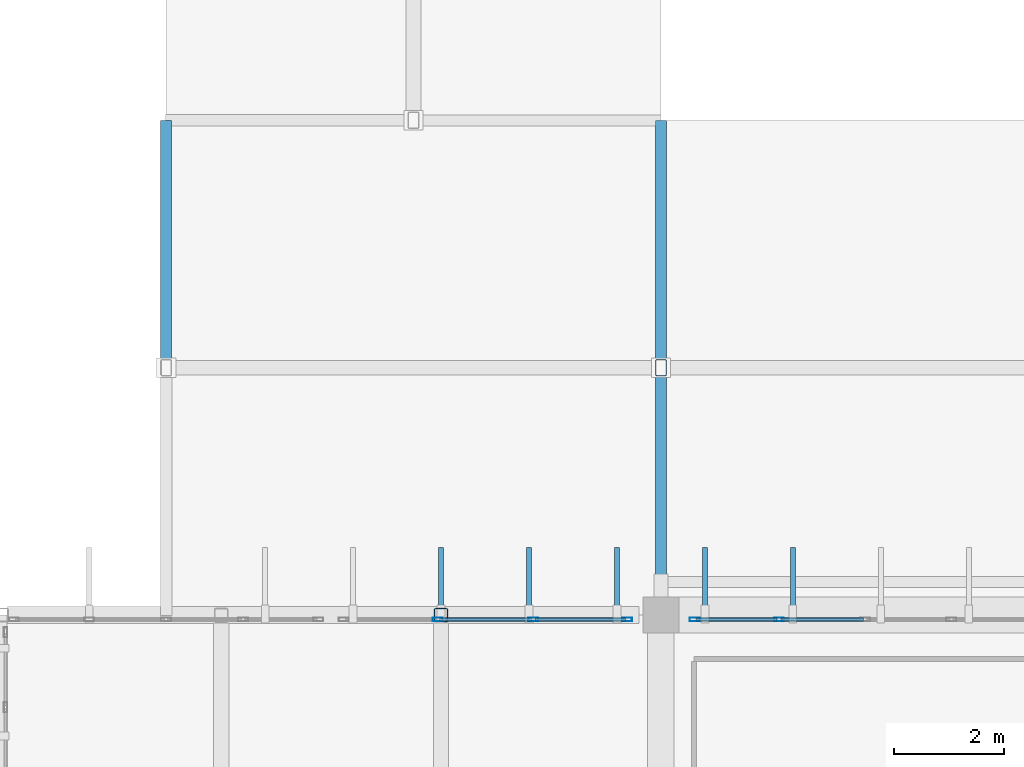
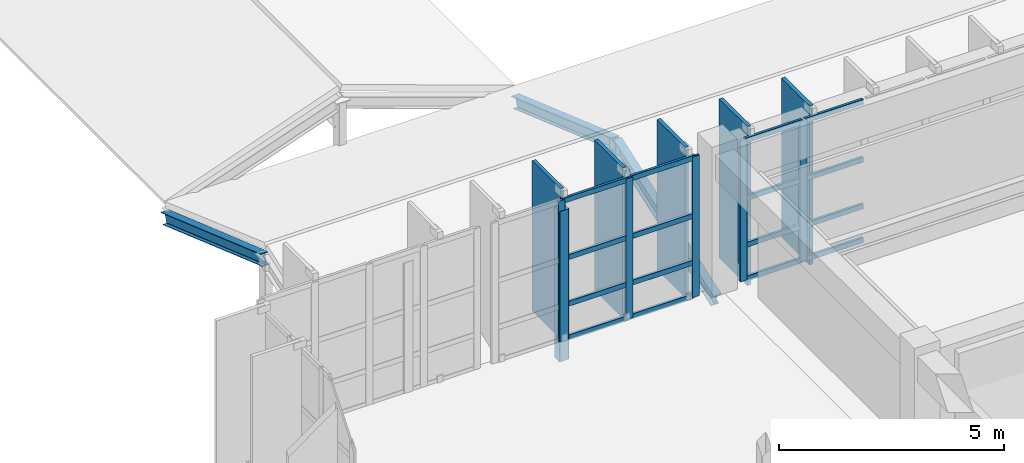
# One storey, part 36 of 80: 31 members, 2 elements without a shape of their own.
"""IFC4 building model written with IfcOpenShell, lengths in metres."""

from ifc_helpers import new_model, si_unit, direction, frame, origin, origin_2d, place, context, subcontext, project, spatial, rectangle, hollow_rectangle, i_section, extrude, material, material_profile, profile_set, type_object, element, aggregate, save


model = new_model("IFC4")

# Units and contexts
model_context = context("Model", 3, precision=1e-05, world=origin(), true_north=direction((0.0, 1.0)))
body_context = subcontext(model_context, "Body", "Model", "MODEL_VIEW")
ifc_project = project(units=[si_unit("LENGTHUNIT", "METRE"), si_unit("AREAUNIT", "SQUARE_METRE"), si_unit("VOLUMEUNIT", "CUBIC_METRE"), si_unit("PLANEANGLEUNIT", "RADIAN"), si_unit("MASSUNIT", "GRAM", prefix="KILO")], contexts=[model_context])

# Site, building, storey
site_placement = place(None, origin())
site = spatial("IfcSite", under=ifc_project, at=site_placement, CompositionType="ELEMENT")
building_placement = place(site_placement, origin())
building = spatial("IfcBuilding", under=site, at=building_placement, Name="Miravela Opera House", CompositionType="ELEMENT")
storey_placement = place(building_placement, frame((0.0, 0.0, 17.679931640625)))
storey = spatial("IfcBuildingStorey", under=building, at=storey_placement, Name="L04", CompositionType="ELEMENT", Elevation=17.679931640625)

# Curtain wall, members
ifc_material_1 = material(Name="Anodised architectural bronze aluminium 6063-T6", Category="aluminium")
curtain_wall_type = type_object("IfcCurtainWallType", Name="ARC-CW-02", PredefinedType="NOTDEFINED", material=ifc_material_1)
curtain_wall_1_placement = place(storey_placement, origin())
curtain_wall_1 = element("IfcCurtainWall", 1, at=curtain_wall_1_placement, inside=storey, type_object=curtain_wall_type, Name="Auditorium North Wrapper Glazing CW-L04-037", PredefinedType="NOTDEFINED")
ifc_material_profile_1 = material_profile(ifc_material_1, hollow_rectangle(XDim=0.06494140625, YDim=0.179931640625, WallThickness=0.00390625, InnerFilletRadius=0.001953125, OuterFilletRadius=0.00390625, at=origin_2d()), Name="CWM-65X180")
ifc_profile_set_1 = profile_set([ifc_material_profile_1])
member_type_1 = type_object("IfcMemberType", Name="ARC-CWM-180", PredefinedType="MULLION", material=ifc_profile_set_1)
member_1_placement = place(storey_placement, frame((22.93994140625, 74.919921875, 0.0), z_axis=(0.0, 0.0, 1.0), x_axis=(0.0, 1.0, 0.0)))
member_1 = element("IfcMember", 2, at=member_1_placement, type_object=member_type_1, Name="CW-02 mullion 2", PredefinedType="MULLION", context=body_context, shape_type="SweptSolid", body=[
    extrude(hollow_rectangle(XDim=0.06494140625, YDim=0.179931640625, WallThickness=0.00390625, InnerFilletRadius=0.001953125, OuterFilletRadius=0.00390625, at=origin_2d()), origin(), (0.0, 0.0, 1.0), 3.820068359375),
])
member_2_placement = place(storey_placement, frame((24.679931640625, 74.919921875, 0.0), z_axis=(0.0, 0.0, 1.0), x_axis=(0.0, 1.0, 0.0)))
member_2 = element("IfcMember", 3, at=member_2_placement, type_object=member_type_1, Name="CW-02 mullion 3", PredefinedType="MULLION", context=body_context, shape_type="SweptSolid", body=[
    extrude(hollow_rectangle(XDim=0.06494140625, YDim=0.179931640625, WallThickness=0.00390625, InnerFilletRadius=0.001953125, OuterFilletRadius=0.00390625, at=origin_2d()), origin(), (0.0, 0.0, 1.0), 3.820068359375),
])
member_3_placement = place(storey_placement, frame((26.387451171875, 74.919921875, 0.0), z_axis=(0.0, 0.0, 1.0), x_axis=(0.0, 1.0, 0.0)))
member_3 = element("IfcMember", 4, at=member_3_placement, type_object=member_type_1, Name="CW-02 mullion 4", PredefinedType="MULLION", context=body_context, shape_type="SweptSolid", body=[
    extrude(hollow_rectangle(XDim=0.06494140625, YDim=0.179931640625, WallThickness=0.00390625, InnerFilletRadius=0.001953125, OuterFilletRadius=0.00390625, at=origin_2d()), origin(), (0.0, 0.0, 1.0), 3.820068359375),
])

curtain_wall_2_placement = place(storey_placement, origin())
curtain_wall_2 = element("IfcCurtainWall", 5, at=curtain_wall_2_placement, inside=storey, type_object=curtain_wall_type, Name="Auditorium North Wrapper Glazing CW-L04-039", PredefinedType="NOTDEFINED")
member_4_placement = place(storey_placement, frame((27.612548828125, 74.919921875, 0.0), z_axis=(0.0, 0.0, 1.0), x_axis=(0.0, 1.0, 0.0)))
member_4 = element("IfcMember", 6, at=member_4_placement, type_object=member_type_1, Name="CW-02 mullion 1", PredefinedType="MULLION", context=body_context, shape_type="SweptSolid", body=[
    extrude(hollow_rectangle(XDim=0.06494140625, YDim=0.179931640625, WallThickness=0.00390625, InnerFilletRadius=0.001953125, OuterFilletRadius=0.00390625, at=origin_2d()), origin(), (0.0, 0.0, 1.0), 3.820068359375),
])
member_5_placement = place(storey_placement, frame((29.14794921875, 74.919921875, 0.0), z_axis=(0.0, 0.0, 1.0), x_axis=(0.0, 1.0, 0.0)))
member_5 = element("IfcMember", 7, at=member_5_placement, type_object=member_type_1, Name="CW-02 mullion 2", PredefinedType="MULLION", context=body_context, shape_type="SweptSolid", body=[
    extrude(hollow_rectangle(XDim=0.06494140625, YDim=0.179931640625, WallThickness=0.00390625, InnerFilletRadius=0.001953125, OuterFilletRadius=0.00390625, at=origin_2d()), origin(), (0.0, 0.0, 1.0), 3.820068359375),
])

# Member
ifc_material_profile_2 = material_profile(ifc_material_1, hollow_rectangle(XDim=0.06494140625, YDim=0.139892578125, WallThickness=0.00390625, InnerFilletRadius=0.001953125, OuterFilletRadius=0.00390625, at=origin_2d()), Name="CWT-65X140")
ifc_profile_set_2 = profile_set([ifc_material_profile_2])
member_type_2 = type_object("IfcMemberType", Name="ARC-CWT-140", PredefinedType="USERDEFINED", material=ifc_profile_set_2)
member_6_placement = place(storey_placement, frame((22.972412109375, 74.919921875, 0.032470703125), z_axis=(1.0, 0.0, 0.0), x_axis=(0.0, 1.0, 0.0)))
member_6 = element("IfcMember", 8, at=member_6_placement, type_object=member_type_2, Name="CW-02 transom 2.1", ObjectType="TRANSOM", PredefinedType="USERDEFINED", context=body_context, shape_type="SweptSolid", body=[
    extrude(hollow_rectangle(XDim=0.06494140625, YDim=0.139892578125, WallThickness=0.00390625, InnerFilletRadius=0.001953125, OuterFilletRadius=0.00390625, at=origin_2d()), origin(), (0.0, 0.0, 1.0), 1.675048828125),
])

member_7_placement = place(storey_placement, frame((22.972412109375, 74.919921875, 0.949951171875), z_axis=(1.0, 0.0, 0.0), x_axis=(0.0, 1.0, 0.0)))
member_7 = element("IfcMember", 9, at=member_7_placement, type_object=member_type_2, Name="CW-02 transom 2.2", ObjectType="TRANSOM", PredefinedType="USERDEFINED", context=body_context, shape_type="SweptSolid", body=[
    extrude(hollow_rectangle(XDim=0.06494140625, YDim=0.139892578125, WallThickness=0.00390625, InnerFilletRadius=0.001953125, OuterFilletRadius=0.00390625, at=origin_2d()), origin(), (0.0, 0.0, 1.0), 1.675048828125),
])

member_8_placement = place(storey_placement, frame((22.972412109375, 74.919921875, 2.215576171875), z_axis=(1.0, 0.0, 0.0), x_axis=(0.0, 1.0, 0.0)))
member_8 = element("IfcMember", 10, at=member_8_placement, type_object=member_type_2, Name="CW-02 transom 2.3", ObjectType="TRANSOM", PredefinedType="USERDEFINED", context=body_context, shape_type="SweptSolid", body=[
    extrude(hollow_rectangle(XDim=0.06494140625, YDim=0.139892578125, WallThickness=0.00390625, InnerFilletRadius=0.001953125, OuterFilletRadius=0.00390625, at=origin_2d()), origin(), (0.0, 0.0, 1.0), 1.675048828125),
])

member_9_placement = place(storey_placement, frame((22.972412109375, 74.919921875, 3.78759765625), z_axis=(1.0, 0.0, 0.0), x_axis=(0.0, 1.0, 0.0)))
member_9 = element("IfcMember", 11, at=member_9_placement, type_object=member_type_2, Name="CW-02 transom 2.4", ObjectType="TRANSOM", PredefinedType="USERDEFINED", context=body_context, shape_type="SweptSolid", body=[
    extrude(hollow_rectangle(XDim=0.06494140625, YDim=0.139892578125, WallThickness=0.00390625, InnerFilletRadius=0.001953125, OuterFilletRadius=0.00390625, at=origin_2d()), origin(), (0.0, 0.0, 1.0), 1.675048828125),
])

member_10_placement = place(storey_placement, frame((24.71240234375, 74.919921875, 0.032470703125), z_axis=(1.0, 0.0, 0.0), x_axis=(0.0, 1.0, 0.0)))
member_10 = element("IfcMember", 12, at=member_10_placement, type_object=member_type_2, Name="CW-02 transom 3.1", ObjectType="TRANSOM", PredefinedType="USERDEFINED", context=body_context, shape_type="SweptSolid", body=[
    extrude(hollow_rectangle(XDim=0.06494140625, YDim=0.139892578125, WallThickness=0.00390625, InnerFilletRadius=0.001953125, OuterFilletRadius=0.00390625, at=origin_2d()), origin(), (0.0, 0.0, 1.0), 1.642578125),
])

member_11_placement = place(storey_placement, frame((24.71240234375, 74.919921875, 0.949951171875), z_axis=(1.0, 0.0, 0.0), x_axis=(0.0, 1.0, 0.0)))
member_11 = element("IfcMember", 13, at=member_11_placement, type_object=member_type_2, Name="CW-02 transom 3.2", ObjectType="TRANSOM", PredefinedType="USERDEFINED", context=body_context, shape_type="SweptSolid", body=[
    extrude(hollow_rectangle(XDim=0.06494140625, YDim=0.139892578125, WallThickness=0.00390625, InnerFilletRadius=0.001953125, OuterFilletRadius=0.00390625, at=origin_2d()), origin(), (0.0, 0.0, 1.0), 1.642578125),
])

member_12_placement = place(storey_placement, frame((24.71240234375, 74.919921875, 2.215576171875), z_axis=(1.0, 0.0, 0.0), x_axis=(0.0, 1.0, 0.0)))
member_12 = element("IfcMember", 14, at=member_12_placement, type_object=member_type_2, Name="CW-02 transom 3.3", ObjectType="TRANSOM", PredefinedType="USERDEFINED", context=body_context, shape_type="SweptSolid", body=[
    extrude(hollow_rectangle(XDim=0.06494140625, YDim=0.139892578125, WallThickness=0.00390625, InnerFilletRadius=0.001953125, OuterFilletRadius=0.00390625, at=origin_2d()), origin(), (0.0, 0.0, 1.0), 1.642578125),
])

member_13_placement = place(storey_placement, frame((24.71240234375, 74.919921875, 3.78759765625), z_axis=(1.0, 0.0, 0.0), x_axis=(0.0, 1.0, 0.0)))
member_13 = element("IfcMember", 15, at=member_13_placement, type_object=member_type_2, Name="CW-02 transom 3.4", ObjectType="TRANSOM", PredefinedType="USERDEFINED", context=body_context, shape_type="SweptSolid", body=[
    extrude(hollow_rectangle(XDim=0.06494140625, YDim=0.139892578125, WallThickness=0.00390625, InnerFilletRadius=0.001953125, OuterFilletRadius=0.00390625, at=origin_2d()), origin(), (0.0, 0.0, 1.0), 1.642578125),
])

aggregate(curtain_wall_1, [member_1, member_2, member_3, member_6, member_7, member_8, member_9, member_10, member_11, member_12, member_13])

member_14_placement = place(storey_placement, frame((27.64501953125, 74.919921875, 0.032470703125), z_axis=(1.0, 0.0, 0.0), x_axis=(0.0, 1.0, 0.0)))
member_14 = element("IfcMember", 16, at=member_14_placement, type_object=member_type_2, Name="CW-02 transom 1.1", ObjectType="TRANSOM", PredefinedType="USERDEFINED", context=body_context, shape_type="SweptSolid", body=[
    extrude(hollow_rectangle(XDim=0.06494140625, YDim=0.139892578125, WallThickness=0.00390625, InnerFilletRadius=0.001953125, OuterFilletRadius=0.00390625, at=origin_2d()), origin(), (0.0, 0.0, 1.0), 1.470458984375),
])

member_15_placement = place(storey_placement, frame((27.64501953125, 74.919921875, 0.949951171875), z_axis=(1.0, 0.0, 0.0), x_axis=(0.0, 1.0, 0.0)))
member_15 = element("IfcMember", 17, at=member_15_placement, type_object=member_type_2, Name="CW-02 transom 1.2", ObjectType="TRANSOM", PredefinedType="USERDEFINED", context=body_context, shape_type="SweptSolid", body=[
    extrude(hollow_rectangle(XDim=0.06494140625, YDim=0.139892578125, WallThickness=0.00390625, InnerFilletRadius=0.001953125, OuterFilletRadius=0.00390625, at=origin_2d()), origin(), (0.0, 0.0, 1.0), 1.470458984375),
])

member_16_placement = place(storey_placement, frame((27.64501953125, 74.919921875, 2.215576171875), z_axis=(1.0, 0.0, 0.0), x_axis=(0.0, 1.0, 0.0)))
member_16 = element("IfcMember", 18, at=member_16_placement, type_object=member_type_2, Name="CW-02 transom 1.3", ObjectType="TRANSOM", PredefinedType="USERDEFINED", context=body_context, shape_type="SweptSolid", body=[
    extrude(hollow_rectangle(XDim=0.06494140625, YDim=0.139892578125, WallThickness=0.00390625, InnerFilletRadius=0.001953125, OuterFilletRadius=0.00390625, at=origin_2d()), origin(), (0.0, 0.0, 1.0), 1.470458984375),
])

member_17_placement = place(storey_placement, frame((27.64501953125, 74.919921875, 3.78759765625), z_axis=(1.0, 0.0, 0.0), x_axis=(0.0, 1.0, 0.0)))
member_17 = element("IfcMember", 19, at=member_17_placement, type_object=member_type_2, Name="CW-02 transom 1.4", ObjectType="TRANSOM", PredefinedType="USERDEFINED", context=body_context, shape_type="SweptSolid", body=[
    extrude(hollow_rectangle(XDim=0.06494140625, YDim=0.139892578125, WallThickness=0.00390625, InnerFilletRadius=0.001953125, OuterFilletRadius=0.00390625, at=origin_2d()), origin(), (0.0, 0.0, 1.0), 1.470458984375),
])

member_18_placement = place(storey_placement, frame((29.180419921875, 74.919921875, 0.032470703125), z_axis=(1.0, 0.0, 0.0), x_axis=(0.0, 1.0, 0.0)))
member_18 = element("IfcMember", 20, at=member_18_placement, type_object=member_type_2, Name="CW-02 transom 2.1", ObjectType="TRANSOM", PredefinedType="USERDEFINED", context=body_context, shape_type="SweptSolid", body=[
    extrude(hollow_rectangle(XDim=0.06494140625, YDim=0.139892578125, WallThickness=0.00390625, InnerFilletRadius=0.001953125, OuterFilletRadius=0.00390625, at=origin_2d()), origin(), (0.0, 0.0, 1.0), 1.503173828125),
])

member_19_placement = place(storey_placement, frame((29.180419921875, 74.919921875, 0.949951171875), z_axis=(1.0, 0.0, 0.0), x_axis=(0.0, 1.0, 0.0)))
member_19 = element("IfcMember", 21, at=member_19_placement, type_object=member_type_2, Name="CW-02 transom 2.2", ObjectType="TRANSOM", PredefinedType="USERDEFINED", context=body_context, shape_type="SweptSolid", body=[
    extrude(hollow_rectangle(XDim=0.06494140625, YDim=0.139892578125, WallThickness=0.00390625, InnerFilletRadius=0.001953125, OuterFilletRadius=0.00390625, at=origin_2d()), origin(), (0.0, 0.0, 1.0), 1.503173828125),
])

member_20_placement = place(storey_placement, frame((29.180419921875, 74.919921875, 2.215576171875), z_axis=(1.0, 0.0, 0.0), x_axis=(0.0, 1.0, 0.0)))
member_20 = element("IfcMember", 22, at=member_20_placement, type_object=member_type_2, Name="CW-02 transom 2.3", ObjectType="TRANSOM", PredefinedType="USERDEFINED", context=body_context, shape_type="SweptSolid", body=[
    extrude(hollow_rectangle(XDim=0.06494140625, YDim=0.139892578125, WallThickness=0.00390625, InnerFilletRadius=0.001953125, OuterFilletRadius=0.00390625, at=origin_2d()), origin(), (0.0, 0.0, 1.0), 1.503173828125),
])

member_21_placement = place(storey_placement, frame((29.180419921875, 74.919921875, 3.78759765625), z_axis=(1.0, 0.0, 0.0), x_axis=(0.0, 1.0, 0.0)))
member_21 = element("IfcMember", 23, at=member_21_placement, type_object=member_type_2, Name="CW-02 transom 2.4", ObjectType="TRANSOM", PredefinedType="USERDEFINED", context=body_context, shape_type="SweptSolid", body=[
    extrude(hollow_rectangle(XDim=0.06494140625, YDim=0.139892578125, WallThickness=0.00390625, InnerFilletRadius=0.001953125, OuterFilletRadius=0.00390625, at=origin_2d()), origin(), (0.0, 0.0, 1.0), 1.503173828125),
])

aggregate(curtain_wall_2, [member_4, member_5, member_14, member_15, member_16, member_17, member_18, member_19, member_20, member_21])

# Members
ifc_material_profile_3 = material_profile(ifc_material_1, rectangle(XDim=0.090087890625, YDim=1.25, at=origin_2d()), Name="FIN-1250X90")
ifc_profile_set_3 = profile_set([ifc_material_profile_3])
member_type_3 = type_object("IfcMemberType", Name="ARC-FIN-1250", PredefinedType="USERDEFINED", material=ifc_profile_set_3)
for number, where, z_axis, x_axis, name in (
    (24, (23.0, 75.60498046875, 0.0), (0.0, 0.0, 1.0), (1.0, 0.0, 0.0), "Auditorium Wrapper Bronze Solar Fin FIN-L04-NORTH-0103"),
    (25, (24.60009765625, 75.60498046875, 0.0), (0.0, 0.0, 1.0), (1.0, 0.0, 0.0), "Auditorium Wrapper Bronze Solar Fin FIN-L04-NORTH-0105"),
    (26, (26.199951171875, 75.60498046875, 0.0), (0.0, 0.0, 1.0), (1.0, 0.0, 0.0), "Auditorium Wrapper Bronze Solar Fin FIN-L04-NORTH-0107"),
):
    element("IfcMember", number, at=place(storey_placement, frame(where, z_axis=z_axis, x_axis=x_axis)), inside=storey, type_object=member_type_3, Name=name, ObjectType="FIN", PredefinedType="USERDEFINED", context=body_context, shape_type="SweptSolid", body=[
        extrude(rectangle(XDim=0.090087890625, YDim=1.25, at=origin_2d()), origin(), (0.0, 0.0, 1.0), 4.080078125),
    ])
for number, where, z_axis, x_axis, name in (
    (27, (27.800048828125, 75.60498046875, -0.239990234375), (0.0, 0.0, 1.0), (1.0, 0.0, 0.0), "Auditorium Wrapper Bronze Solar Fin FIN-L04-NORTH-0109"),
    (28, (29.39990234375, 75.60498046875, -0.239990234375), (0.0, 0.0, 1.0), (1.0, 0.0, 0.0), "Auditorium Wrapper Bronze Solar Fin FIN-L04-NORTH-0111"),
):
    element("IfcMember", number, at=place(storey_placement, frame(where, z_axis=z_axis, x_axis=x_axis)), inside=storey, type_object=member_type_3, Name=name, ObjectType="FIN", PredefinedType="USERDEFINED", context=body_context, shape_type="SweptSolid", body=[
        extrude(rectangle(XDim=0.090087890625, YDim=1.25, at=origin_2d()), origin(), (0.0, 0.0, 1.0), 4.320068359375),
    ])
ifc_material_2 = material(Name="Hollow structural steel ASTM A500 Gr. C", Category="steel")
ifc_material_profile_4 = material_profile(ifc_material_2, hollow_rectangle(XDim=0.25, YDim=0.25, WallThickness=0.011962890625, InnerFilletRadius=0.011962890625, OuterFilletRadius=0.02392578125, at=origin_2d()), Name="HSS250X250X12")
ifc_profile_set_4 = profile_set([ifc_material_profile_4])
member_type_4 = type_object("IfcMemberType", Name="STR-MEM-CANT-POST2", PredefinedType="POST", material=ifc_profile_set_4)
member_22_placement = place(storey_placement, frame((23.0, 75.0, -0.5400390625), z_axis=(0.0, 0.0, 1.0), x_axis=(1.0, 0.0, 0.0)))
element("IfcMember", 29, at=member_22_placement, inside=storey, type_object=member_type_4, Name="Upper Wrapper Truss Post L04 X=23.0", PredefinedType="POST", context=body_context, shape_type="SweptSolid", body=[
    extrude(hollow_rectangle(XDim=0.25, YDim=0.25, WallThickness=0.011962890625, InnerFilletRadius=0.011962890625, OuterFilletRadius=0.02392578125, at=origin_2d()), origin(), (0.0, 0.0, 1.0), 4.080078125),
])
ifc_material_profile_5 = material_profile(ifc_material_2, hollow_rectangle(XDim=0.199951171875, YDim=0.300048828125, WallThickness=0.011962890625, InnerFilletRadius=0.011962890625, OuterFilletRadius=0.02392578125, at=origin_2d()), Name="HSS300X200X12")
ifc_profile_set_5 = profile_set([ifc_material_profile_5])
member_type_5 = type_object("IfcMemberType", Name="STR-MEM-POST-HSS300X200", PredefinedType="POST", material=ifc_profile_set_5)
member_23_placement = place(storey_placement, frame((27.0, 79.5, -0.25), z_axis=(0.0, 0.0, 1.0), x_axis=(1.0, 0.0, 0.0)))
element("IfcMember", 30, at=member_23_placement, inside=storey, type_object=member_type_5, Name="Roof Ridge Support Post ROOF-V3-WEST-S M1", PredefinedType="POST", context=body_context, shape_type="SweptSolid", body=[
    extrude(hollow_rectangle(XDim=0.199951171875, YDim=0.300048828125, WallThickness=0.011962890625, InnerFilletRadius=0.011962890625, OuterFilletRadius=0.02392578125, at=origin_2d()), origin(), (0.0, 0.0, 1.0), 1.510009765625),
])
ifc_material_3 = material(Name="Structural steel ASTM A992 Gr. 50", Category="steel")
ifc_material_profile_6 = material_profile(ifc_material_3, i_section(OverallWidth=0.2041015625, OverallDepth=0.35009765625, WebThickness=0.008544921875, FlangeThickness=0.01513671875, FilletRadius=0.013916015625, at=origin_2d()), Name="W360X72")
ifc_profile_set_6 = profile_set([ifc_material_profile_6])
member_type_6 = type_object("IfcMemberType", Name="STR-MEM-RAFTER-1", PredefinedType="RAFTER", material=ifc_profile_set_6)
member_24_placement = place(storey_placement, frame((27.0, 75.050048828125, -0.39990234375), z_axis=(0.0, 0.943687918104, 0.3308369889), x_axis=(-1.0, 0.0, 0.0)))
element("IfcMember", 31, at=member_24_placement, inside=storey, type_object=member_type_6, Name="Pitched Roof Rafter ROOF-V3-WEST-S S1", PredefinedType="RAFTER", context=body_context, shape_type="SweptSolid", body=[
    extrude(i_section(OverallWidth=0.2041015625, OverallDepth=0.35009765625, WebThickness=0.008544921875, FlangeThickness=0.01513671875, FilletRadius=0.013916015625, at=origin_2d()), origin(), (0.0, 0.0, 1.0), 4.715576171875),
])
ifc_material_profile_7 = material_profile(ifc_material_3, i_section(OverallWidth=0.202880859375, OverallDepth=0.302978515625, WebThickness=0.007568359375, FlangeThickness=0.01318359375, FilletRadius=0.012939453125, at=origin_2d()), Name="W310X60")
ifc_profile_set_7 = profile_set([ifc_material_profile_7])
member_type_7 = type_object("IfcMemberType", Name="STR-MEM-RAFTER-2", PredefinedType="RAFTER", material=ifc_profile_set_7)
for number, where, z_axis, x_axis, name in (
    (32, (18.0, 83.949951171875, -0.39990234375), (0.0, -0.943687918104, 0.3308369889), (1.0, 0.0, 0.0), "Pitched Roof Rafter ROOF-V3-WEST-S N0"),
    (33, (27.0, 83.949951171875, -0.39990234375), (0.0, -0.943687918104, 0.3308369889), (1.0, 0.0, 0.0), "Pitched Roof Rafter ROOF-V3-WEST-S N1"),
):
    element("IfcMember", number, at=place(storey_placement, frame(where, z_axis=z_axis, x_axis=x_axis)), inside=storey, type_object=member_type_7, Name=name, PredefinedType="RAFTER", context=body_context, shape_type="SweptSolid", body=[
        extrude(i_section(OverallWidth=0.202880859375, OverallDepth=0.302978515625, WebThickness=0.007568359375, FlangeThickness=0.01318359375, FilletRadius=0.012939453125, at=origin_2d()), origin(), (0.0, 0.0, 1.0), 4.715576171875),
    ])

save(model, "model.ifc")
